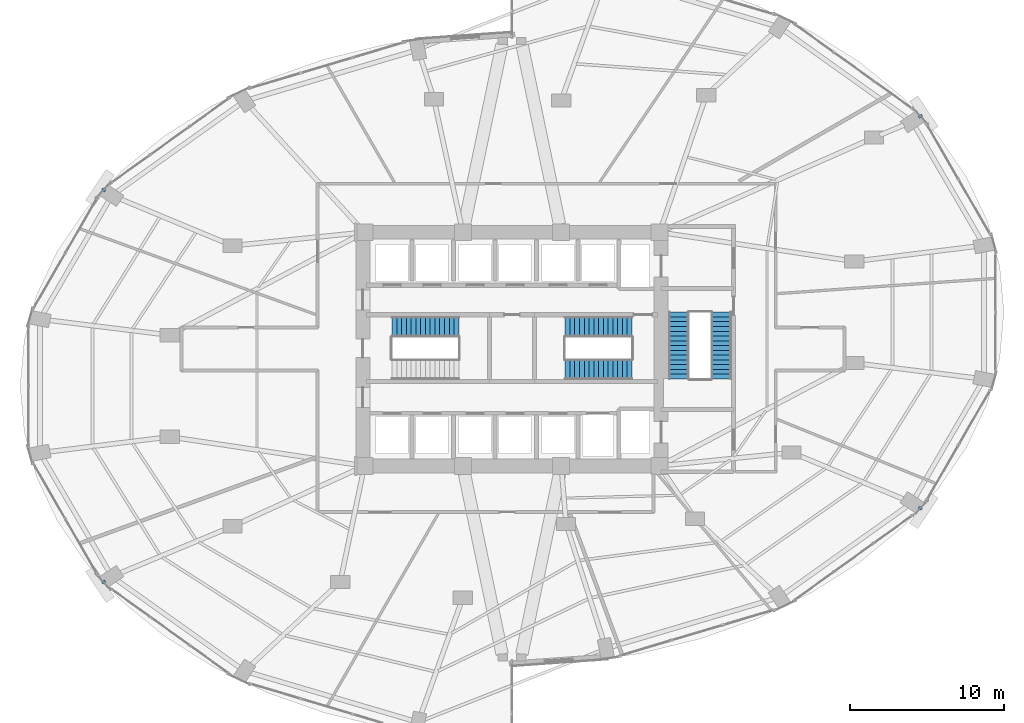
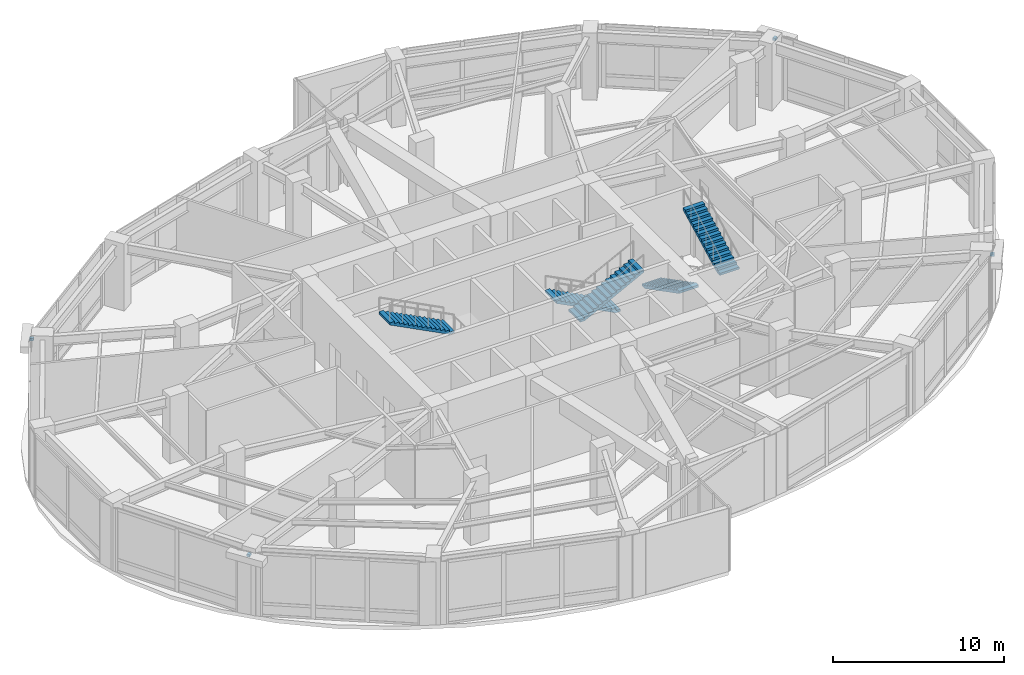
# One storey, part 23 of 24: 5 stair flights, 4 discrete accessories, 3 elements without a shape of their own.
"""IFC4 building model written with IfcOpenShell, lengths in metres."""

import ifcopenshell
import ifcopenshell.guid

model = None  # the IFC model being written
_history = None  # IfcOwnerHistory: only IFC2X3 demands one
_inside = {}  # id of a spatial element -> (the spatial element, [elements in it])
_under = {}  # id of a project, library or spatial element -> (it, [spatial elements below it])
_declared = {}  # id of a project -> (the project, [libraries it declares])
_typed = {}  # id of a type object -> (the type object, [elements of that type])
_made_of = {}  # id of a material, layer set ... -> (it, [elements and type objects made of it])


def new_model(schema):
    """Start an empty IFC model of exactly this schema.

    Asked for "IFC4X3", IfcOpenShell would pick the latest addendum, in which some entities
    have other attributes; the version numbers below select the first issue.
    IFC2X3 requires an IfcOwnerHistory on every rooted entity: one is made here for all.
    """
    global model, _history
    if schema == "IFC4X3":
        model = ifcopenshell.file(schema_version=(4, 3, 0, 0))
    else:
        model = ifcopenshell.file(schema=schema)
    _inside.clear()
    _under.clear()
    _declared.clear()
    _typed.clear()
    _made_of.clear()
    _history = None
    if model.schema == "IFC2X3":
        org = make("IfcOrganization", Name="unknown")
        user = make(
            "IfcPersonAndOrganization",
            ThePerson=make("IfcPerson", FamilyName="unknown"),
            TheOrganization=org,
        )
        app = make(
            "IfcApplication",
            ApplicationDeveloper=org,
            Version="unknown",
            ApplicationFullName="unknown",
            ApplicationIdentifier="unknown",
        )
        _history = make(
            "IfcOwnerHistory",
            OwningUser=user,
            OwningApplication=app,
            ChangeAction="ADDED",
            CreationDate=0,
        )
    return model


def make(cls, **values):
    """One entity of the class cls with the attributes given. An attribute that is None is left unset."""
    return model.create_entity(
        cls, **{name: value for name, value in values.items() if value is not None}
    )


def rooted(cls, **values):
    """An entity with a GlobalId (a new one), such as an element, a storey or a relation."""
    return make(cls, GlobalId=ifcopenshell.guid.new(), OwnerHistory=_history, **values)


def si_unit(unit_type, name, prefix=None):
    """IfcSIUnit, for example si_unit("LENGTHUNIT", "METRE", prefix="MILLI")."""
    return make("IfcSIUnit", UnitType=unit_type, Prefix=prefix, Name=name)


def assignment(units):
    """IfcUnitAssignment: the units of a project."""
    return None if units is None else make("IfcUnitAssignment", Units=units)


def point(xyz):
    """IfcCartesianPoint."""
    return None if xyz is None else make("IfcCartesianPoint", Coordinates=xyz)


def direction(xyz):
    """IfcDirection."""
    return None if xyz is None else make("IfcDirection", DirectionRatios=xyz)


def frame(location, z_axis=None, x_axis=None):
    """IfcAxis2Placement3D, a coordinate frame: its origin and axes. An axis left out is left unset."""
    return make(
        "IfcAxis2Placement3D",
        Location=point(location),
        Axis=direction(z_axis),
        RefDirection=direction(x_axis),
    )


def frame_2d(location, x_axis=None):
    """IfcAxis2Placement2D, a coordinate frame in the plane: its origin and x axis."""
    return make(
        "IfcAxis2Placement2D", Location=point(location), RefDirection=direction(x_axis)
    )


def origin():
    """The frame at (0, 0, 0) with its axes left unset."""
    return frame((0.0, 0.0, 0.0))


def origin_2d():
    """The frame at (0, 0) in the plane with its x axis left unset."""
    return frame_2d((0.0, 0.0))


def place(relative_to, where):
    """IfcLocalPlacement: puts the frame where relative to a parent placement (None: the world)."""
    return make(
        "IfcLocalPlacement", PlacementRelTo=relative_to, RelativePlacement=where
    )


def context(
    kind, dimensions, precision=None, world=None, true_north=None, identifier=None
):
    """IfcGeometricRepresentationContext, for example the 3D "Model" context."""
    return make(
        "IfcGeometricRepresentationContext",
        ContextIdentifier=identifier,
        ContextType=kind,
        CoordinateSpaceDimension=dimensions,
        Precision=precision,
        WorldCoordinateSystem=world,
        TrueNorth=true_north,
    )


def subcontext(parent, identifier, kind, view, scale=None):
    """IfcGeometricRepresentationSubContext, for example "Body" below "Model"."""
    return make(
        "IfcGeometricRepresentationSubContext",
        ContextIdentifier=identifier,
        ContextType=kind,
        ParentContext=parent,
        TargetScale=scale,
        TargetView=view,
    )


def project(units=None, contexts=None):
    """IfcProject with its units and contexts."""
    return rooted(
        "IfcProject",
        Name="project",
        RepresentationContexts=contexts,
        UnitsInContext=assignment(units),
    )


def spatial(cls, under=None, at=None, **own):
    """A site, building, storey or space (cls), placed at a placement, below another one or the project."""
    s = rooted(cls, ObjectPlacement=at, **own)
    if under is not None:
        _under.setdefault(under.id(), (under, []))[1].append(s)
    return s


def polyline(points):
    """IfcPolyline through the points."""
    return make("IfcPolyline", Points=[point(p) for p in points])


def profile(cls, at=None, kind="AREA", **sizes):
    """A parametric profile (cls). Its sizes go by their IFC names, for example OverallWidth=200.0."""
    return make(cls, ProfileType=kind, Position=at, **sizes)


def rectangle(**sizes):
    """IfcRectangleProfileDef."""
    return profile("IfcRectangleProfileDef", **sizes)


def outline(outer, holes=None, kind="AREA"):
    """IfcArbitraryClosedProfileDef: a profile drawn as a closed curve; with holes, ...WithVoids."""
    if holes is None:
        return make("IfcArbitraryClosedProfileDef", ProfileType=kind, OuterCurve=outer)
    return make(
        "IfcArbitraryProfileDefWithVoids",
        ProfileType=kind,
        OuterCurve=outer,
        InnerCurves=holes,
    )


def extrude(swept, where, along, depth):
    """IfcExtrudedAreaSolid: the profile swept, set in the frame where, extruded along a direction by depth."""
    return make(
        "IfcExtrudedAreaSolid",
        SweptArea=swept,
        Position=where,
        ExtrudedDirection=direction(along),
        Depth=depth,
    )


def shape(context_of_items, identifier, shape_type, items):
    """IfcShapeRepresentation: the items that make up one representation, for example the "Body"."""
    return make(
        "IfcShapeRepresentation",
        ContextOfItems=context_of_items,
        RepresentationIdentifier=identifier,
        RepresentationType=shape_type,
        Items=items,
    )


def material(Name=None, Category=None):
    """IfcMaterial."""
    return make("IfcMaterial", Name=Name, Category=Category)


def made_of(thing, what):
    """Note that an element or type object is made of a material, layer set ...; save() writes the relation."""
    if what is not None:
        _made_of.setdefault(what.id(), (what, []))[1].append(thing)
    return thing


def type_object(cls, material=None, **own):
    """A type object (cls), such as IfcWallType, which elements share."""
    return made_of(rooted(cls, **own), material)


def element(
    cls,
    number,
    at=None,
    inside=None,
    cuts=None,
    type_object=None,
    material=None,
    context=None,
    identifier="Body",
    shape_type=None,
    held_by="IfcProductDefinitionShape",
    body=None,
    shapes=None,
    **own,
):
    """One element of the class cls, such as IfcWall. Its Tag is "e" and its number.

    at: its placement. inside: the storey or other place that contains it. cuts: it is an
    opening in that element (IfcRelVoidsElement). A single representation is given by context,
    identifier, shape_type and body (its items); several are given by shapes. held_by: the class
    of the entity that holds the representations. save() writes the other relations.
    """
    e = rooted(cls, Tag="e%d" % number, ObjectPlacement=at, **own)
    if body is not None:
        shapes = [shape(context, identifier, shape_type, body)]
    if shapes is not None:
        e.Representation = make(held_by, Representations=shapes)
    if inside is not None:
        _inside.setdefault(inside.id(), (inside, []))[1].append(e)
    if cuts is not None:
        rooted(
            "IfcRelVoidsElement", RelatingBuildingElement=cuts, RelatedOpeningElement=e
        )
    if type_object is not None:
        _typed.setdefault(type_object.id(), (type_object, []))[1].append(e)
    return made_of(e, material)


def aggregate(whole, parts):
    """IfcRelAggregates: a whole, such as a stair, and the parts it consists of."""
    return rooted("IfcRelAggregates", RelatingObject=whole, RelatedObjects=parts)


def save(model, path):
    """Write the relations noted so far, then the file.

    IfcRelAggregates (storeys below a building ...), IfcRelContainedInSpatialStructure (elements
    in a storey), IfcRelDefinesByType, IfcRelAssociatesMaterial and IfcRelDeclares: one each for
    every whole, place, type object, material and project.
    """
    for whole, parts in _under.values():
        aggregate(whole, parts)
    for where, things in _inside.values():
        rooted(
            "IfcRelContainedInSpatialStructure",
            RelatedElements=things,
            RelatingStructure=where,
        )
    for kind, things in _typed.values():
        rooted("IfcRelDefinesByType", RelatedObjects=things, RelatingType=kind)
    for what, things in _made_of.values():
        rooted("IfcRelAssociatesMaterial", RelatedObjects=things, RelatingMaterial=what)
    for by, libraries in _declared.values():
        rooted("IfcRelDeclares", RelatingContext=by, RelatedDefinitions=libraries)
    model.write(path)


model = new_model("IFC4")

# Units and contexts
model_context = context("Model", 3, precision=1e-05, world=origin(), true_north=direction((0.0, 1.0)))
body_context = subcontext(model_context, "Body", "Model", "MODEL_VIEW")
ifc_project = project(units=[si_unit("LENGTHUNIT", "METRE"), si_unit("AREAUNIT", "SQUARE_METRE"), si_unit("VOLUMEUNIT", "CUBIC_METRE"), si_unit("PLANEANGLEUNIT", "RADIAN"), si_unit("MASSUNIT", "GRAM", prefix="KILO")], contexts=[model_context])

# Site, building, storey
site_placement = place(None, origin())
site = spatial("IfcSite", under=ifc_project, at=site_placement, CompositionType="ELEMENT")
building_placement = place(site_placement, origin())
building = spatial("IfcBuilding", under=site, at=building_placement, Name="Lazwardi Medical Tower", CompositionType="ELEMENT")
storey_placement = place(building_placement, frame((0.0, 0.0, 15.60009765625)))
storey = spatial("IfcBuildingStorey", under=building, at=storey_placement, Name="L03", CompositionType="ELEMENT", Elevation=15.60009765625)

# Stair, stair flight
ifc_material_1 = material(Name="Concrete C45/55", Category="concrete")
stair_type = type_object("IfcStairType", Name="STR-POD", PredefinedType="HALF_TURN_STAIR", material=ifc_material_1)
stair_1_placement = place(storey_placement, origin())
stair_1 = element("IfcStair", 1, at=stair_1_placement, inside=storey, type_object=stair_type, Name="L03 Protected Exit Stair ST1", PredefinedType="HALF_TURN_STAIR")
stair_flight_type = type_object("IfcStairFlightType", Name="FLT-POD", PredefinedType="STRAIGHT", material=ifc_material_1)
stair_flight_1_placement = place(storey_placement, frame((32.5400390625, 29.43994140625, 2.39990234375), z_axis=(0.0, 0.0, 1.0), x_axis=(-1.0, 0.0, 0.0)))
stair_flight_1 = element("IfcStairFlight", 2, at=stair_flight_1_placement, type_object=stair_flight_type, Name="ST1 flight 2", NumberOfRisers=15, NumberOfTreads=14, PredefinedType="STRAIGHT", RiserHeight=0.16, TreadLength=0.31, context=body_context, shape_type="SweptSolid", body=[
    extrude(outline(polyline([(0.0, 0.0), (0.0, 0.159912109375), (0.31005859375, 0.159912109375), (0.31005859375, 0.320068359375), (0.6201171875, 0.320068359375), (0.6201171875, 0.47998046875), (0.929931640625, 0.47998046875), (0.929931640625, 0.639892578125), (1.239990234375, 0.639892578125), (1.239990234375, 0.800048828125), (1.550048828125, 0.800048828125), (1.550048828125, 0.9599609375), (1.860107421875, 0.9599609375), (1.860107421875, 1.1201171875), (2.169921875, 1.1201171875), (2.169921875, 1.280029296875), (2.47998046875, 1.280029296875), (2.47998046875, 1.43994140625), (2.7900390625, 1.43994140625), (2.7900390625, 1.60009765625), (3.10009765625, 1.60009765625), (3.10009765625, 1.760009765625), (3.409912109375, 1.760009765625), (3.409912109375, 1.919921875), (3.719970703125, 1.919921875), (3.719970703125, 2.080078125), (4.030029296875, 2.080078125), (4.030029296875, 2.239990234375), (4.340087890625, 2.239990234375), (4.340087890625, 2.39990234375), (4.340087890625, 2.0712890625), (0.326904296875, 0.0), (0.0, 0.0)])), frame((0.0, 0.66015625, 0.0), z_axis=(0.0, -1.0, 0.0), x_axis=(1.0, 0.0, 0.0)), (0.0, 0.0, 1.0), 1.320068359375),
])
aggregate(stair_1, [stair_flight_1])

# Stair, stair flights
stair_2_placement = place(storey_placement, origin())
stair_2 = element("IfcStair", 3, at=stair_2_placement, inside=storey, type_object=stair_type, Name="L03 Protected Exit Stair ST2", PredefinedType="HALF_TURN_STAIR")
stair_flight_2_placement = place(storey_placement, frame((43.800048828125, 29.43994140625, 0.0), z_axis=(0.0, 0.0, 1.0), x_axis=(-1.0, 0.0, 0.0)))
stair_flight_2 = element("IfcStairFlight", 4, at=stair_flight_2_placement, type_object=stair_flight_type, Name="ST2 flight 1", NumberOfRisers=15, NumberOfTreads=14, PredefinedType="STRAIGHT", RiserHeight=0.16, TreadLength=0.31, context=body_context, shape_type="SweptSolid", body=[
    extrude(outline(polyline([(0.0, 0.0), (0.0, 0.159912109375), (0.31005859375, 0.159912109375), (0.31005859375, 0.320068359375), (0.6201171875, 0.320068359375), (0.6201171875, 0.47998046875), (0.929931640625, 0.47998046875), (0.929931640625, 0.639892578125), (1.239990234375, 0.639892578125), (1.239990234375, 0.800048828125), (1.550048828125, 0.800048828125), (1.550048828125, 0.9599609375), (1.860107421875, 0.9599609375), (1.860107421875, 1.1201171875), (2.169921875, 1.1201171875), (2.169921875, 1.280029296875), (2.47998046875, 1.280029296875), (2.47998046875, 1.43994140625), (2.7900390625, 1.43994140625), (2.7900390625, 1.60009765625), (3.10009765625, 1.60009765625), (3.10009765625, 1.760009765625), (3.409912109375, 1.760009765625), (3.409912109375, 1.919921875), (3.719970703125, 1.919921875), (3.719970703125, 2.080078125), (4.030029296875, 2.080078125), (4.030029296875, 2.239990234375), (4.340087890625, 2.239990234375), (4.340087890625, 2.39990234375), (4.340087890625, 2.0712890625), (0.326904296875, 0.0), (0.0, 0.0)])), frame((0.0, 0.66015625, 0.0), z_axis=(0.0, -1.0, 0.0), x_axis=(1.0, 0.0, 0.0)), (0.0, 0.0, 1.0), 1.320068359375),
])
stair_flight_3_placement = place(storey_placement, frame((39.4599609375, 26.679931640625, 2.39990234375), z_axis=(0.0, 0.0, 1.0), x_axis=(1.0, 0.0, 0.0)))
stair_flight_3 = element("IfcStairFlight", 5, at=stair_flight_3_placement, type_object=stair_flight_type, Name="ST2 flight 2", NumberOfRisers=15, NumberOfTreads=14, PredefinedType="STRAIGHT", RiserHeight=0.16, TreadLength=0.31, context=body_context, shape_type="SweptSolid", body=[
    extrude(outline(polyline([(0.0, 0.0), (0.0, 0.159912109375), (0.31005859375, 0.159912109375), (0.31005859375, 0.320068359375), (0.6201171875, 0.320068359375), (0.6201171875, 0.47998046875), (0.929931640625, 0.47998046875), (0.929931640625, 0.639892578125), (1.239990234375, 0.639892578125), (1.239990234375, 0.800048828125), (1.550048828125, 0.800048828125), (1.550048828125, 0.9599609375), (1.860107421875, 0.9599609375), (1.860107421875, 1.1201171875), (2.169921875, 1.1201171875), (2.169921875, 1.280029296875), (2.47998046875, 1.280029296875), (2.47998046875, 1.43994140625), (2.7900390625, 1.43994140625), (2.7900390625, 1.60009765625), (3.10009765625, 1.60009765625), (3.10009765625, 1.760009765625), (3.409912109375, 1.760009765625), (3.409912109375, 1.919921875), (3.719970703125, 1.919921875), (3.719970703125, 2.080078125), (4.030029296875, 2.080078125), (4.030029296875, 2.239990234375), (4.340087890625, 2.239990234375), (4.340087890625, 2.39990234375), (4.340087890625, 2.0712890625), (0.326904296875, 0.0), (0.0, 0.0)])), frame((0.0, 0.66015625, 0.0), z_axis=(0.0, -1.0, 0.0), x_axis=(1.0, 0.0, 0.0)), (0.0, 0.0, 1.0), 1.320068359375),
])
aggregate(stair_2, [stair_flight_2, stair_flight_3])

stair_3_placement = place(storey_placement, origin())
stair_3 = element("IfcStair", 6, at=stair_3_placement, inside=storey, type_object=stair_type, Name="L03 Protected Exit Stair ST3", PredefinedType="HALF_TURN_STAIR")
stair_flight_4_placement = place(storey_placement, frame((46.860107421875, 30.39990234375, 0.0), z_axis=(0.0, 0.0, 1.0), x_axis=(0.0, -1.0, 0.0)))
stair_flight_4 = element("IfcStairFlight", 7, at=stair_flight_4_placement, type_object=stair_flight_type, Name="ST3 flight 1", NumberOfRisers=15, NumberOfTreads=14, PredefinedType="STRAIGHT", RiserHeight=0.16, TreadLength=0.31, context=body_context, shape_type="SweptSolid", body=[
    extrude(outline(polyline([(0.0, 0.0), (0.0, 0.159912109375), (0.31005859375, 0.159912109375), (0.31005859375, 0.320068359375), (0.6201171875, 0.320068359375), (0.6201171875, 0.47998046875), (0.929931640625, 0.47998046875), (0.929931640625, 0.639892578125), (1.239990234375, 0.639892578125), (1.239990234375, 0.800048828125), (1.550048828125, 0.800048828125), (1.550048828125, 0.9599609375), (1.860107421875, 0.9599609375), (1.860107421875, 1.1201171875), (2.169921875, 1.1201171875), (2.169921875, 1.280029296875), (2.47998046875, 1.280029296875), (2.47998046875, 1.43994140625), (2.7900390625, 1.43994140625), (2.7900390625, 1.60009765625), (3.10009765625, 1.60009765625), (3.10009765625, 1.760009765625), (3.409912109375, 1.760009765625), (3.409912109375, 1.919921875), (3.719970703125, 1.919921875), (3.719970703125, 2.080078125), (4.030029296875, 2.080078125), (4.030029296875, 2.239990234375), (4.340087890625, 2.239990234375), (4.340087890625, 2.39990234375), (4.340087890625, 2.0712890625), (0.326904296875, 0.0), (0.0, 0.0)])), frame((0.0, 0.66015625, 0.0), z_axis=(0.0, -1.0, 0.0), x_axis=(1.0, 0.0, 0.0)), (0.0, 0.0, 1.0), 1.320068359375),
])
stair_flight_5_placement = place(storey_placement, frame((49.6201171875, 26.06005859375, 2.39990234375), z_axis=(0.0, 0.0, 1.0), x_axis=(0.0, 1.0, 0.0)))
stair_flight_5 = element("IfcStairFlight", 8, at=stair_flight_5_placement, type_object=stair_flight_type, Name="ST3 flight 2", NumberOfRisers=15, NumberOfTreads=14, PredefinedType="STRAIGHT", RiserHeight=0.16, TreadLength=0.31, context=body_context, shape_type="SweptSolid", body=[
    extrude(outline(polyline([(0.0, 0.0), (0.0, 0.159912109375), (0.31005859375, 0.159912109375), (0.31005859375, 0.320068359375), (0.6201171875, 0.320068359375), (0.6201171875, 0.47998046875), (0.929931640625, 0.47998046875), (0.929931640625, 0.639892578125), (1.239990234375, 0.639892578125), (1.239990234375, 0.800048828125), (1.550048828125, 0.800048828125), (1.550048828125, 0.9599609375), (1.860107421875, 0.9599609375), (1.860107421875, 1.1201171875), (2.169921875, 1.1201171875), (2.169921875, 1.280029296875), (2.47998046875, 1.280029296875), (2.47998046875, 1.43994140625), (2.7900390625, 1.43994140625), (2.7900390625, 1.60009765625), (3.10009765625, 1.60009765625), (3.10009765625, 1.760009765625), (3.409912109375, 1.760009765625), (3.409912109375, 1.919921875), (3.719970703125, 1.919921875), (3.719970703125, 2.080078125), (4.030029296875, 2.080078125), (4.030029296875, 2.239990234375), (4.340087890625, 2.239990234375), (4.340087890625, 2.39990234375), (4.340087890625, 2.0712890625), (0.326904296875, 0.0), (0.0, 0.0)])), frame((0.0, 0.66015625, 0.0), z_axis=(0.0, -1.0, 0.0), x_axis=(1.0, 0.0, 0.0)), (0.0, 0.0, 1.0), 1.320068359375),
])
aggregate(stair_3, [stair_flight_4, stair_flight_5])

# Discrete accessories
ifc_material_2 = material(Name="Steel S355", Category="steel")
discrete_accessory_type = type_object("IfcDiscreteAccessoryType", Name="ACC-BRK-01", PredefinedType="BRACKET", material=ifc_material_2)
for number, where, z_axis, x_axis, name in (
    (9, (62.55712890625, 17.6552734375, 4.18017578125), (0.0, 0.0, 1.0), (0.55557023302, 0.831469612303, 0.0), "L03 Podium Sunshade Bracket 1"),
    (10, (62.55712890625, 43.144775390625, 4.18017578125), (0.0, 0.0, 1.0), (-0.55557023302, 0.831469612303, 0.0), "L03 Podium Sunshade Bracket 2"),
    (11, (9.44287109375, 38.3447265625, 4.18017578125), (0.0, 0.0, 1.0), (-0.55557023302, -0.831469612303, 0.0), "L03 Podium Sunshade Bracket 3"),
    (12, (9.44287109375, 12.855224609375, 4.18017578125), (0.0, 0.0, 1.0), (0.55557023302, -0.831469612303, 0.0), "L03 Podium Sunshade Bracket 4"),
):
    element("IfcDiscreteAccessory", number, at=place(storey_placement, frame(where, z_axis=z_axis, x_axis=x_axis)), inside=storey, type_object=discrete_accessory_type, Name=name, PredefinedType="BRACKET", context=body_context, shape_type="SweptSolid", body=[
        extrude(rectangle(XDim=0.179931640625, YDim=0.25, at=origin_2d()), origin(), (0.0, 0.0, 1.0), 0.179931640625),
    ])

save(model, "model.ifc")
